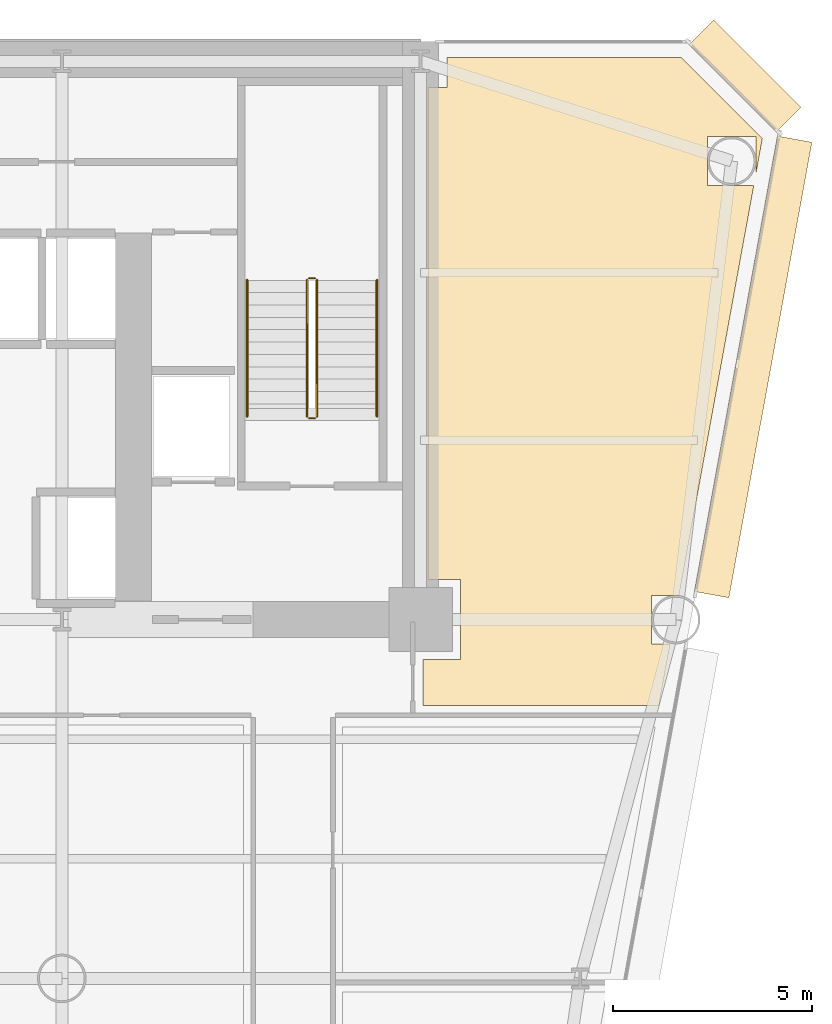
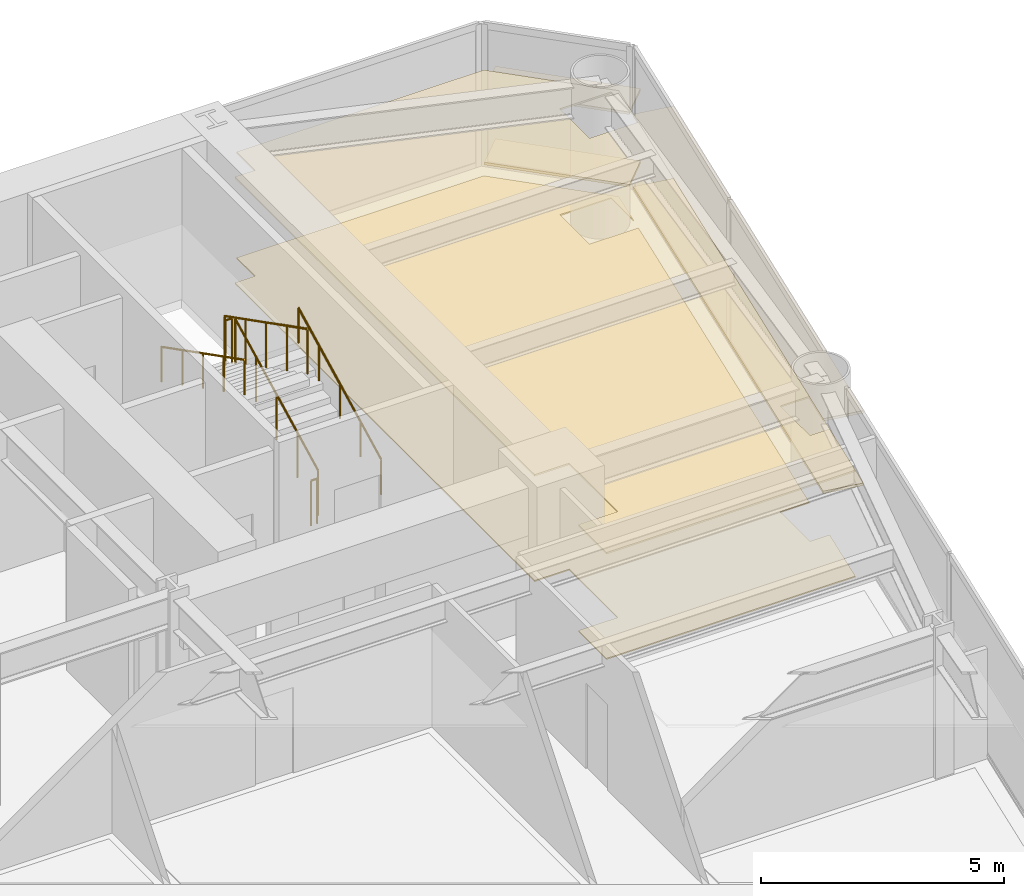
# One storey, part 14 of 14: 6 coverings, 6 railings.
"""IFC4 building model written with IfcOpenShell, lengths in metres."""

from ifc_helpers import new_model, si_unit, direction, frame, origin, origin_2d, place, context, subcontext, project, spatial, polyline, rectangle, circle, outline, extrude, source, transform, mapped, material, layer, layer_set, type_object, element, save


model = new_model("IFC4")

# Units and contexts
model_context = context("Model", 3, precision=1e-05, world=origin(), true_north=direction((0.0, 1.0)))
body_context = subcontext(model_context, "Body", "Model", "MODEL_VIEW")
ifc_project = project(units=[si_unit("LENGTHUNIT", "METRE"), si_unit("AREAUNIT", "SQUARE_METRE"), si_unit("VOLUMEUNIT", "CUBIC_METRE"), si_unit("PLANEANGLEUNIT", "RADIAN"), si_unit("MASSUNIT", "GRAM", prefix="KILO")], contexts=[model_context])

# Site, building, storey
site_placement = place(None, origin())
site = spatial("IfcSite", under=ifc_project, at=site_placement, CompositionType="ELEMENT")
building_placement = place(site_placement, origin())
building = spatial("IfcBuilding", under=site, at=building_placement, Name="Vaeldorn Concourse Tower", CompositionType="ELEMENT")
storey_placement = place(building_placement, frame((0.0, 0.0, 56.800048828125)))
storey = spatial("IfcBuildingStorey", under=building, at=storey_placement, Name="L14", CompositionType="ELEMENT", Elevation=56.800048828125)

# Coverings
ifc_material_1 = material(Name="Acoustic Mineral Fibre Board", Category="gypsum")
ifc_layer_1 = layer(ifc_material_1, 0.0400390625)
ifc_layer_set_1 = layer_set([ifc_layer_1], Name="Acoustic Mineral Fibre Board")
covering_type_1 = type_object("IfcCoveringType", Name="COV-CEIL-ACOUSTIC", PredefinedType="CEILING", material=ifc_layer_set_1)
covering_1_placement = place(storey_placement, frame((0.0, 0.0, 2.64990234375)))
element("IfcCovering", 1, at=covering_1_placement, inside=storey, type_object=covering_type_1, Name="Suspended Acoustic Ceiling L14-4", PredefinedType="CEILING", context=body_context, shape_type="SweptSolid", body=[
    extrude(outline(polyline([(54.179931640625, 49.840087890625), (54.659912109375, 49.840087890625), (54.659912109375, 50.60009765625), (60.5341796875, 50.60009765625), (62.56884765625, 48.5654296875), (62.409423828125, 47.69091796875), (62.409423828125, 48.609619140625), (61.1904296875, 48.609619140625), (61.1904296875, 47.390380859375), (62.354736328125, 47.390380859375), (60.519287109375, 37.320068359375), (60.519287109375, 37.320068359375), (60.48095703125, 37.109619140625), (59.79052734375, 37.109619140625), (59.79052734375, 35.890380859375), (60.2587890625, 35.890380859375), (59.976318359375, 34.340087890625), (54.06005859375, 34.340087890625), (54.06005859375, 35.5), (55.0, 35.5), (55.0, 37.5), (54.179931640625, 37.5), (54.179931640625, 49.840087890625)])), origin(), (0.0, 0.0, 1.0), 0.0400390625),
])
ifc_material_2 = material(Name="Honed Limestone Terrazzo Flooring", Category="masonry")
ifc_layer_2 = layer(ifc_material_2, 0.0400390625)
ifc_layer_set_2 = layer_set([ifc_layer_2], Name="Honed Limestone Terrazzo Flooring")
covering_type_2 = type_object("IfcCoveringType", Name="COV-FLOOR-STONE", PredefinedType="FLOORING", material=ifc_layer_set_2)
covering_2_placement = place(storey_placement, origin())
element("IfcCovering", 2, at=covering_2_placement, inside=storey, type_object=covering_type_2, Name="Floor Finish Covering L14-4", PredefinedType="FLOORING", context=body_context, shape_type="SweptSolid", body=[
    extrude(outline(polyline([(54.179931640625, 49.840087890625), (54.659912109375, 49.840087890625), (54.659912109375, 50.60009765625), (60.5341796875, 50.60009765625), (62.56884765625, 48.5654296875), (62.409423828125, 47.69091796875), (62.409423828125, 48.609619140625), (61.1904296875, 48.609619140625), (61.1904296875, 47.390380859375), (62.354736328125, 47.390380859375), (60.519287109375, 37.320068359375), (60.519287109375, 37.320068359375), (60.48095703125, 37.109619140625), (59.79052734375, 37.109619140625), (59.79052734375, 35.890380859375), (60.2587890625, 35.890380859375), (59.976318359375, 34.340087890625), (54.06005859375, 34.340087890625), (54.06005859375, 35.5), (55.0, 35.5), (55.0, 37.5), (54.179931640625, 37.5), (54.179931640625, 49.840087890625)])), origin(), (0.0, 0.0, 1.0), 0.030029296875),
])

# Railings
ifc_material_3 = material(Name="Anodised Bronze Aluminium", Category="aluminium")
railing_type_1 = type_object("IfcRailingType", Name="RL-STAIR-GUARD", PredefinedType="GUARDRAIL", material=ifc_material_3)
railing_1_placement = place(storey_placement, frame((51.39990234375, 41.60009765625, 0.158203125)))
element("IfcRailing", 3, at=railing_1_placement, inside=storey, type_object=railing_type_1, Name="L14 ST-2 stair guard 1", PredefinedType="GUARDRAIL", context=body_context, shape_type="SweptSolid", body=[
    extrude(circle(Radius=0.02392578125, at=origin_2d()), frame((0.0, 0.0, 1.1259765625), z_axis=(0.0, 0.890555807335, 0.454873997962), x_axis=(-1.0, 0.0, 0.0)), (0.0, 0.0, 1.0), 3.828857421875),
    extrude(circle(Radius=0.02099609375, at=origin_2d()), origin(), (0.0, 0.0, 1.0), 1.101806640625),
    extrude(circle(Radius=0.02099609375, at=origin_2d()), frame((0.0, 0.8525390625, 0.435546875)), (0.0, 0.0, 1.0), 1.101806640625),
    extrude(circle(Radius=0.02099609375, at=origin_2d()), frame((0.0, 1.705078125, 0.870849609375)), (0.0, 0.0, 1.0), 1.101806640625),
    extrude(circle(Radius=0.02099609375, at=origin_2d()), frame((0.0, 2.557373046875, 1.30615234375)), (0.0, 0.0, 1.0), 1.101806640625),
    extrude(circle(Radius=0.02099609375, at=origin_2d()), frame((0.0, 3.409912109375, 1.74169921875)), (0.0, 0.0, 1.0), 1.101806640625),
])
railing_2_placement = place(storey_placement, frame((51.35009765625, 45.06005859375, 1.89990234375)))
element("IfcRailing", 4, at=railing_2_placement, inside=storey, type_object=railing_type_1, Name="L14 ST-2 stair guard 2", PredefinedType="GUARDRAIL", context=body_context, shape_type="SweptSolid", body=[
    extrude(circle(Radius=0.02392578125, at=origin_2d()), frame((0.0, 0.0, 1.1259765625), z_axis=(-1.0, 0.0, 0.0), x_axis=(0.0, -1.0, 0.0)), (0.0, 0.0, 1.0), 0.150146484375),
    extrude(circle(Radius=0.02099609375, at=origin_2d()), origin(), (0.0, 0.0, 1.0), 1.101806640625),
    extrude(circle(Radius=0.02099609375, at=origin_2d()), frame((-0.150146484375, 0.0, 0.0)), (0.0, 0.0, 1.0), 1.101806640625),
])
railing_3_placement = place(storey_placement, frame((51.14990234375, 45.010009765625, 2.058349609375)))
element("IfcRailing", 5, at=railing_3_placement, inside=storey, type_object=railing_type_1, Name="L14 ST-2 stair guard 3", PredefinedType="GUARDRAIL", context=body_context, shape_type="SweptSolid", body=[
    extrude(circle(Radius=0.02392578125, at=origin_2d()), frame((0.0, 0.0, 1.1259765625), z_axis=(0.0, -0.890555807335, 0.454873997962), x_axis=(1.0, 0.0, 0.0)), (0.0, 0.0, 1.0), 3.828857421875),
    extrude(circle(Radius=0.02099609375, at=origin_2d()), origin(), (0.0, 0.0, 1.0), 1.101806640625),
    extrude(circle(Radius=0.02099609375, at=origin_2d()), frame((0.0, -0.8525390625, 0.435546875)), (0.0, 0.0, 1.0), 1.101806640625),
    extrude(circle(Radius=0.02099609375, at=origin_2d()), frame((0.0, -1.705078125, 0.870849609375)), (0.0, 0.0, 1.0), 1.101806640625),
    extrude(circle(Radius=0.02099609375, at=origin_2d()), frame((0.0, -2.557373046875, 1.30615234375)), (0.0, 0.0, 1.0), 1.101806640625),
    extrude(circle(Radius=0.02099609375, at=origin_2d()), frame((0.0, -3.409912109375, 1.74169921875)), (0.0, 0.0, 1.0), 1.101806640625),
])
railing_4_placement = place(storey_placement, frame((51.35009765625, 41.550048828125, 0.0)))
element("IfcRailing", 6, at=railing_4_placement, inside=storey, type_object=railing_type_1, Name="L14 ST-2 stair guard 4", PredefinedType="GUARDRAIL", context=body_context, shape_type="SweptSolid", body=[
    extrude(circle(Radius=0.02392578125, at=origin_2d()), frame((0.0, 0.0, 1.1259765625), z_axis=(-1.0, 0.0, 0.0), x_axis=(0.0, -1.0, 0.0)), (0.0, 0.0, 1.0), 0.150146484375),
    extrude(circle(Radius=0.02099609375, at=origin_2d()), origin(), (0.0, 0.0, 1.0), 1.101806640625),
    extrude(circle(Radius=0.02099609375, at=origin_2d()), frame((-0.150146484375, 0.0, 0.0)), (0.0, 0.0, 1.0), 1.101806640625),
])
railing_type_2 = type_object("IfcRailingType", Name="RL-STAIR-HANDRAIL", PredefinedType="HANDRAIL", material=ifc_material_3)
railing_5_placement = place(storey_placement, frame((52.89990234375, 41.60009765625, 0.158203125)))
element("IfcRailing", 7, at=railing_5_placement, inside=storey, type_object=railing_type_2, Name="L14 ST-2 stair handrail 1", PredefinedType="HANDRAIL", context=body_context, shape_type="SweptSolid", body=[
    extrude(circle(Radius=0.02392578125, at=origin_2d()), frame((0.0, 0.0, 0.8759765625), z_axis=(0.0, 0.890555807335, 0.454873997962), x_axis=(-1.0, 0.0, 0.0)), (0.0, 0.0, 1.0), 3.828857421875),
    extrude(circle(Radius=0.02099609375, at=origin_2d()), origin(), (0.0, 0.0, 1.0), 0.851806640625),
    extrude(circle(Radius=0.02099609375, at=origin_2d()), frame((0.0, 0.8525390625, 0.435546875)), (0.0, 0.0, 1.0), 0.851806640625),
    extrude(circle(Radius=0.02099609375, at=origin_2d()), frame((0.0, 1.705078125, 0.870849609375)), (0.0, 0.0, 1.0), 0.851806640625),
    extrude(circle(Radius=0.02099609375, at=origin_2d()), frame((0.0, 2.557373046875, 1.30615234375)), (0.0, 0.0, 1.0), 0.851806640625),
    extrude(circle(Radius=0.02099609375, at=origin_2d()), frame((0.0, 3.409912109375, 1.74169921875)), (0.0, 0.0, 1.0), 0.851806640625),
])
railing_6_placement = place(storey_placement, frame((49.64990234375, 45.010009765625, 2.058349609375)))
element("IfcRailing", 8, at=railing_6_placement, inside=storey, type_object=railing_type_2, Name="L14 ST-2 stair handrail 2", PredefinedType="HANDRAIL", context=body_context, shape_type="SweptSolid", body=[
    extrude(circle(Radius=0.02392578125, at=origin_2d()), frame((0.0, 0.0, 0.8759765625), z_axis=(0.0, -0.890555807335, 0.454873997962), x_axis=(1.0, 0.0, 0.0)), (0.0, 0.0, 1.0), 3.828857421875),
    extrude(circle(Radius=0.02099609375, at=origin_2d()), origin(), (0.0, 0.0, 1.0), 0.851806640625),
    extrude(circle(Radius=0.02099609375, at=origin_2d()), frame((0.0, -0.8525390625, 0.435546875)), (0.0, 0.0, 1.0), 0.851806640625),
    extrude(circle(Radius=0.02099609375, at=origin_2d()), frame((0.0, -1.705078125, 0.870849609375)), (0.0, 0.0, 1.0), 0.851806640625),
    extrude(circle(Radius=0.02099609375, at=origin_2d()), frame((0.0, -2.557373046875, 1.30615234375)), (0.0, 0.0, 1.0), 0.851806640625),
    extrude(circle(Radius=0.02099609375, at=origin_2d()), frame((0.0, -3.409912109375, 1.74169921875)), (0.0, 0.0, 1.0), 0.851806640625),
])

# Coverings
ifc_layer_3 = layer(ifc_material_3, 0.06494140625)
ifc_layer_set_3 = layer_set([ifc_layer_3], Name="Anodised Bronze Aluminium")
covering_type_3 = type_object("IfcCoveringType", Name="SD-BRONZE-SUNSHADE", PredefinedType="USERDEFINED", material=ifc_layer_set_3)
shared_shape_1 = source(origin(), body_context, "Body", "SweptSolid", [
    extrude(rectangle(XDim=3.0927734375, YDim=0.8798828125, at=origin_2d()), origin(), (0.0, 0.0, 1.0), 0.06494140625),
])
for number, where, z_axis, x_axis, name in (
    (9, (62.1328125, 50.1328125, 0.04736328125), (0.0, 0.0, 1.0), (-0.707106781187, 0.707106781187, 0.0), "Horizontal Bronze Sunshade L14-E08.1.1"),
    (10, (62.1328125, 50.1328125, 1.867431640625), (0.0, 0.0, 1.0), (-0.707106781187, 0.707106781187, 0.0), "Horizontal Bronze Sunshade L14-E08.1.2"),
):
    element("IfcCovering", number, at=place(storey_placement, frame(where, z_axis=z_axis, x_axis=x_axis)), inside=storey, type_object=covering_type_3, Name=name, ObjectType="SUNSHADE", PredefinedType="USERDEFINED", context=body_context, shape_type="MappedRepresentation", body=[
        mapped(shared_shape_1, transform((0.0, 0.0, 0.0), scale=1.0)),
    ])
shared_shape_2 = source(origin(), body_context, "Body", "SweptSolid", [
    extrude(rectangle(XDim=11.611083984375, YDim=0.8798828125, at=origin_2d()), origin(), (0.0, 0.0, 1.0), 0.06494140625),
])
for number, where, z_axis, x_axis, name in (
    (11, (62.33837890625, 42.837890625, 0.04736328125), (0.0, 0.0, 1.0), (0.17930018116, 0.983794411976, 0.0), "Horizontal Bronze Sunshade L14-E07.2.1"),
    (12, (62.33837890625, 42.837890625, 1.867431640625), (0.0, 0.0, 1.0), (0.17930018116, 0.983794411976, 0.0), "Horizontal Bronze Sunshade L14-E07.2.2"),
):
    element("IfcCovering", number, at=place(storey_placement, frame(where, z_axis=z_axis, x_axis=x_axis)), inside=storey, type_object=covering_type_3, Name=name, ObjectType="SUNSHADE", PredefinedType="USERDEFINED", context=body_context, shape_type="MappedRepresentation", body=[
        mapped(shared_shape_2, transform((0.0, 0.0, 0.0), scale=1.0)),
    ])

save(model, "model.ifc")
